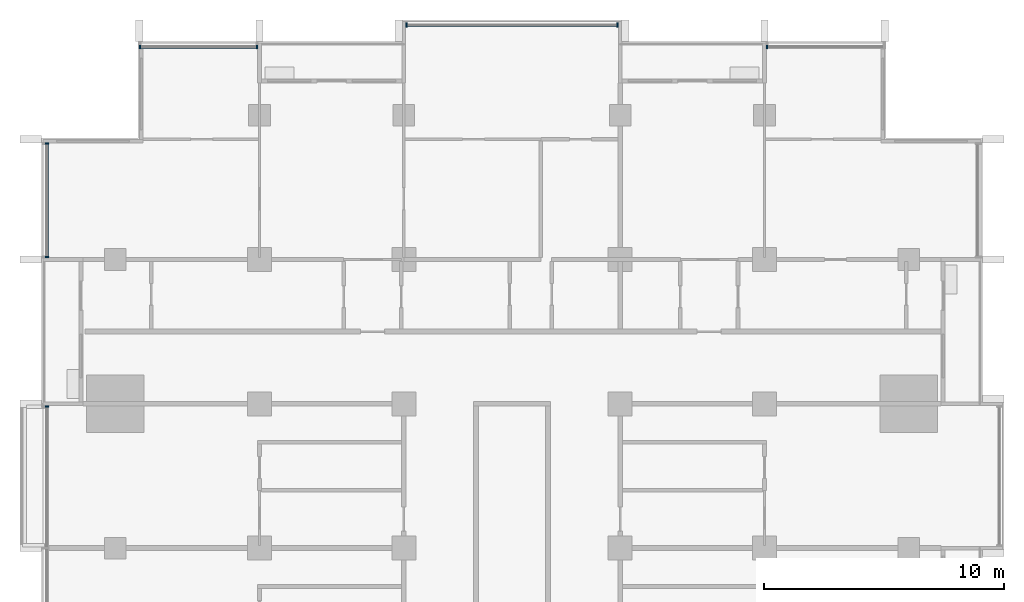
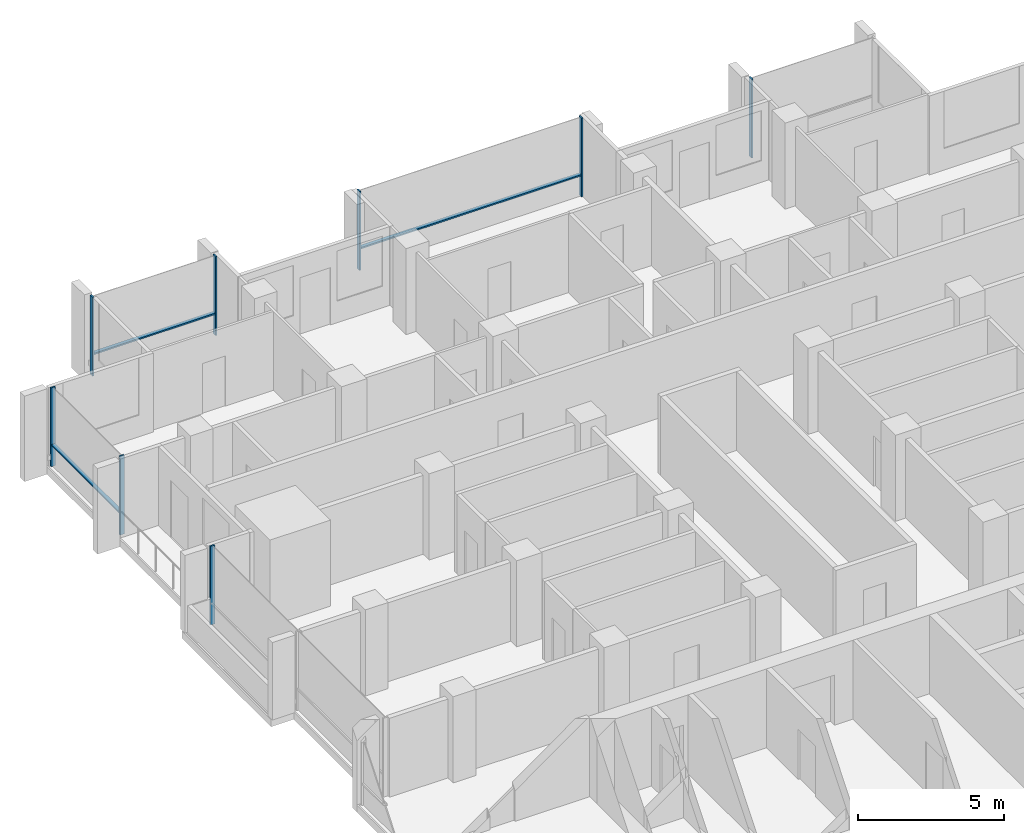
# One storey, part 4 of 17: 11 members, 5 elements without a shape of their own.
"""IFC4 building model written with IfcOpenShell, lengths in metres."""

from ifc_helpers import new_model, si_unit, direction, frame, origin, origin_2d, place, context, subcontext, project, spatial, rectangle, extrude, material, material_profile, profile_set, type_object, element, aggregate, save


model = new_model("IFC4")

# Units and contexts
model_context = context("Model", 3, precision=1e-05, world=origin(), true_north=direction((0.0, 1.0)))
body_context = subcontext(model_context, "Body", "Model", "MODEL_VIEW")
ifc_project = project(units=[si_unit("LENGTHUNIT", "METRE"), si_unit("AREAUNIT", "SQUARE_METRE"), si_unit("VOLUMEUNIT", "CUBIC_METRE"), si_unit("PLANEANGLEUNIT", "RADIAN"), si_unit("MASSUNIT", "GRAM", prefix="KILO")], contexts=[model_context])

# Site, building, storey
site_placement = place(None, origin())
site = spatial("IfcSite", under=ifc_project, at=site_placement, CompositionType="ELEMENT")
building_placement = place(site_placement, origin())
building = spatial("IfcBuilding", under=site, at=building_placement, Name="Finial Court Residences", CompositionType="ELEMENT")
storey_placement = place(building_placement, frame((0.0, 0.0, 181.699951171875)))
storey = spatial("IfcBuildingStorey", under=building, at=storey_placement, Name="L45", CompositionType="ELEMENT", Elevation=181.699951171875)

# Curtain wall, members
ifc_material = material(Name="Bronze anodised aluminium", Category="aluminium")
curtain_wall_type = type_object("IfcCurtainWallType", Name="Unitised curtain wall, upper zones", PredefinedType="NOTDEFINED", material=ifc_material)
curtain_wall_1_placement = place(storey_placement, origin())
curtain_wall_1 = element("IfcCurtainWall", 1, at=curtain_wall_1_placement, inside=storey, type_object=curtain_wall_type, Name="E-L45-CW-N1", PredefinedType="NOTDEFINED")
ifc_material_profile_1 = material_profile(ifc_material, rectangle(XDim=0.175048828125, YDim=0.06005859375, at=origin_2d()), Name="CW2 mullion 60 x 175")
ifc_profile_set_1 = profile_set([ifc_material_profile_1], Name="Bronze anodised aluminium")
member_type_1 = type_object("IfcMemberType", Name="CW2 mullion 60 x 175", PredefinedType="MULLION", material=ifc_profile_set_1)
member_1_placement = place(storey_placement, frame((-15.469970703125, 22.35009765625, 0.0), z_axis=(0.0, 0.0, 1.0), x_axis=(0.0, 1.0, 0.0)))
member_1 = element("IfcMember", 2, at=member_1_placement, type_object=member_type_1, Name="CW2 mullion 1", PredefinedType="MULLION", context=body_context, shape_type="SweptSolid", body=[
    extrude(rectangle(XDim=0.175048828125, YDim=0.06005859375, at=origin_2d()), origin(), (0.0, 0.0, 1.0), 3.300048828125),
])
member_2_placement = place(storey_placement, frame((-10.60498046875, 22.35009765625, 0.0), z_axis=(0.0, 0.0, 1.0), x_axis=(0.0, 1.0, 0.0)))
member_2 = element("IfcMember", 3, at=member_2_placement, type_object=member_type_1, Name="CW2 mullion 2", PredefinedType="MULLION", context=body_context, shape_type="SweptSolid", body=[
    extrude(rectangle(XDim=0.175048828125, YDim=0.06005859375, at=origin_2d()), origin(), (0.0, 0.0, 1.0), 3.300048828125),
])

curtain_wall_2_placement = place(storey_placement, origin())
curtain_wall_2 = element("IfcCurtainWall", 4, at=curtain_wall_2_placement, inside=storey, type_object=curtain_wall_type, Name="E-L45-CW-N2", PredefinedType="NOTDEFINED")
member_3_placement = place(storey_placement, frame((-4.39501953125, 23.25, 0.0), z_axis=(0.0, 0.0, 1.0), x_axis=(0.0, 1.0, 0.0)))
member_3 = element("IfcMember", 5, at=member_3_placement, type_object=member_type_1, Name="CW2 mullion 1", PredefinedType="MULLION", context=body_context, shape_type="SweptSolid", body=[
    extrude(rectangle(XDim=0.175048828125, YDim=0.06005859375, at=origin_2d()), origin(), (0.0, 0.0, 1.0), 3.300048828125),
])
member_4_placement = place(storey_placement, frame((4.39501953125, 23.25, 0.0), z_axis=(0.0, 0.0, 1.0), x_axis=(0.0, 1.0, 0.0)))
member_4 = element("IfcMember", 6, at=member_4_placement, type_object=member_type_1, Name="CW2 mullion 2", PredefinedType="MULLION", context=body_context, shape_type="SweptSolid", body=[
    extrude(rectangle(XDim=0.175048828125, YDim=0.06005859375, at=origin_2d()), origin(), (0.0, 0.0, 1.0), 3.300048828125),
])

# Curtain wall, member
curtain_wall_3_placement = place(storey_placement, origin())
curtain_wall_3 = element("IfcCurtainWall", 7, at=curtain_wall_3_placement, inside=storey, type_object=curtain_wall_type, Name="E-L45-CW-N3", PredefinedType="NOTDEFINED")
member_5_placement = place(storey_placement, frame((10.60498046875, 22.35009765625, 0.0), z_axis=(0.0, 0.0, 1.0), x_axis=(0.0, 1.0, 0.0)))
member_5 = element("IfcMember", 8, at=member_5_placement, type_object=member_type_1, Name="CW2 mullion 1", PredefinedType="MULLION", context=body_context, shape_type="SweptSolid", body=[
    extrude(rectangle(XDim=0.175048828125, YDim=0.06005859375, at=origin_2d()), origin(), (0.0, 0.0, 1.0), 3.300048828125),
])
aggregate(curtain_wall_3, [member_5])

curtain_wall_4_placement = place(storey_placement, origin())
curtain_wall_4 = element("IfcCurtainWall", 9, at=curtain_wall_4_placement, inside=storey, type_object=curtain_wall_type, Name="E-L45-CW-W11", PredefinedType="NOTDEFINED")
member_6_placement = place(storey_placement, frame((-19.35009765625, 7.39501953125, 0.0), z_axis=(0.0, 0.0, 1.0), x_axis=(-1.0, 0.0, 0.0)))
member_6 = element("IfcMember", 10, at=member_6_placement, type_object=member_type_1, Name="CW2 mullion 3", PredefinedType="MULLION", context=body_context, shape_type="SweptSolid", body=[
    extrude(rectangle(XDim=0.175048828125, YDim=0.06005859375, at=origin_2d()), origin(), (0.0, 0.0, 1.0), 3.300048828125),
])
aggregate(curtain_wall_4, [member_6])

# Curtain wall, members
curtain_wall_5_placement = place(storey_placement, origin())
curtain_wall_5 = element("IfcCurtainWall", 11, at=curtain_wall_5_placement, inside=storey, type_object=curtain_wall_type, Name="E-L45-CW-W12", PredefinedType="NOTDEFINED")
member_7_placement = place(storey_placement, frame((-19.35009765625, 13.60498046875, 0.0), z_axis=(0.0, 0.0, 1.0), x_axis=(-1.0, 0.0, 0.0)))
member_7 = element("IfcMember", 12, at=member_7_placement, type_object=member_type_1, Name="CW2 mullion 1", PredefinedType="MULLION", context=body_context, shape_type="SweptSolid", body=[
    extrude(rectangle(XDim=0.175048828125, YDim=0.06005859375, at=origin_2d()), origin(), (0.0, 0.0, 1.0), 3.300048828125),
])
member_8_placement = place(storey_placement, frame((-19.35009765625, 18.320068359375, 0.0), z_axis=(0.0, 0.0, 1.0), x_axis=(-1.0, 0.0, 0.0)))
member_8 = element("IfcMember", 13, at=member_8_placement, type_object=member_type_1, Name="CW2 mullion 2", PredefinedType="MULLION", context=body_context, shape_type="SweptSolid", body=[
    extrude(rectangle(XDim=0.175048828125, YDim=0.06005859375, at=origin_2d()), origin(), (0.0, 0.0, 1.0), 3.300048828125),
])

# Member
ifc_material_profile_2 = material_profile(ifc_material, rectangle(XDim=0.139892578125, YDim=0.06005859375, at=origin_2d()), Name="CW2 transom 60 x 140")
ifc_profile_set_2 = profile_set([ifc_material_profile_2], Name="Bronze anodised aluminium")
member_type_2 = type_object("IfcMemberType", Name="CW2 transom 60 x 140", PredefinedType="USERDEFINED", material=ifc_profile_set_2)
member_9_placement = place(storey_placement, frame((-15.43994140625, 22.35009765625, 0.900146484375), z_axis=(1.0, 0.0, 0.0), x_axis=(0.0, 1.0, 0.0)))
member_9 = element("IfcMember", 14, at=member_9_placement, type_object=member_type_2, Name="CW2 transom 1.1", ObjectType="TRANSOM", PredefinedType="USERDEFINED", context=body_context, shape_type="SweptSolid", body=[
    extrude(rectangle(XDim=0.139892578125, YDim=0.06005859375, at=origin_2d()), origin(), (0.0, 0.0, 1.0), 4.804931640625),
])

aggregate(curtain_wall_1, [member_1, member_2, member_9])

member_10_placement = place(storey_placement, frame((-4.364990234375, 23.25, 0.900146484375), z_axis=(1.0, 0.0, 0.0), x_axis=(0.0, 1.0, 0.0)))
member_10 = element("IfcMember", 15, at=member_10_placement, type_object=member_type_2, Name="CW2 transom 1.1", ObjectType="TRANSOM", PredefinedType="USERDEFINED", context=body_context, shape_type="SweptSolid", body=[
    extrude(rectangle(XDim=0.139892578125, YDim=0.06005859375, at=origin_2d()), origin(), (0.0, 0.0, 1.0), 8.72998046875),
])

aggregate(curtain_wall_2, [member_3, member_4, member_10])

member_11_placement = place(storey_placement, frame((-19.35009765625, 13.635009765625, 0.900146484375), z_axis=(0.0, 1.0, 0.0), x_axis=(-1.0, 0.0, 0.0)))
member_11 = element("IfcMember", 16, at=member_11_placement, type_object=member_type_2, Name="CW2 transom 1.1", ObjectType="TRANSOM", PredefinedType="USERDEFINED", context=body_context, shape_type="SweptSolid", body=[
    extrude(rectangle(XDim=0.139892578125, YDim=0.06005859375, at=origin_2d()), origin(), (0.0, 0.0, 1.0), 4.655029296875),
])

aggregate(curtain_wall_5, [member_7, member_8, member_11])

save(model, "model.ifc")
